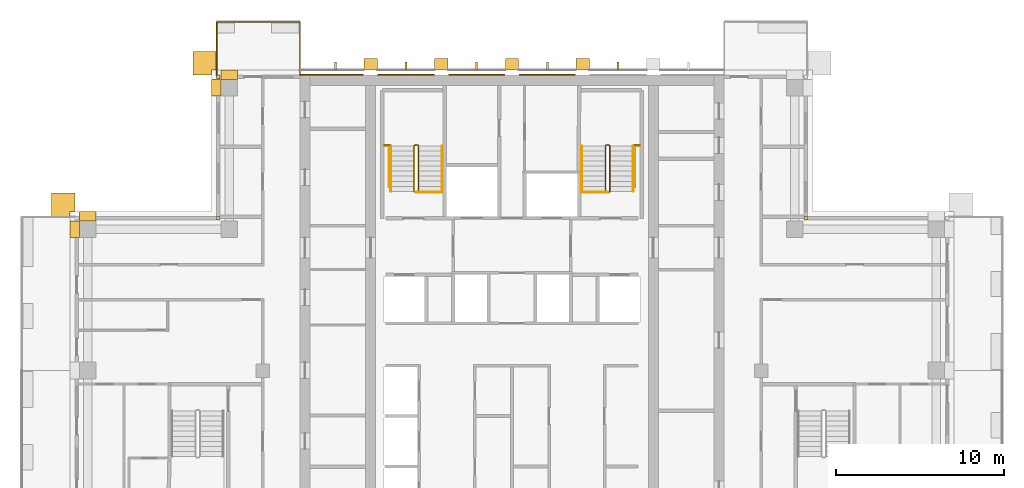
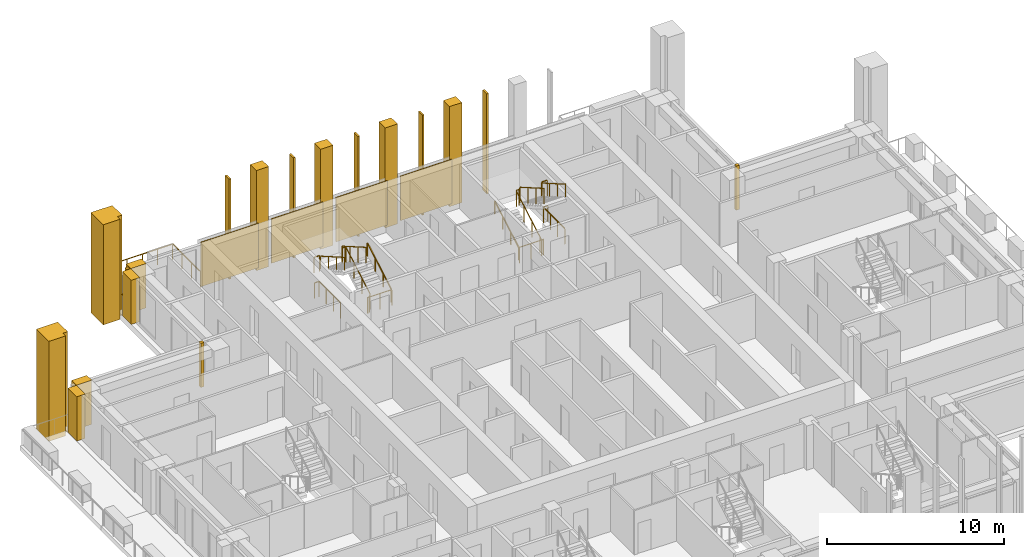
# One storey, part 16 of 17: 22 coverings, 13 railings.
"""IFC4 building model written with IfcOpenShell, lengths in metres."""

from ifc_helpers import new_model, si_unit, direction, frame, origin, origin_2d, place, context, subcontext, project, spatial, polyline, rectangle, outline, extrude, material, layer, layer_set, type_object, element, save


model = new_model("IFC4")

# Units and contexts
model_context = context("Model", 3, precision=1e-05, world=origin(), true_north=direction((0.0, 1.0)))
body_context = subcontext(model_context, "Body", "Model", "MODEL_VIEW")
ifc_project = project(units=[si_unit("LENGTHUNIT", "METRE"), si_unit("AREAUNIT", "SQUARE_METRE"), si_unit("VOLUMEUNIT", "CUBIC_METRE"), si_unit("PLANEANGLEUNIT", "RADIAN"), si_unit("MASSUNIT", "GRAM", prefix="KILO")], contexts=[model_context])

# Site, building, storey
site_placement = place(None, origin())
site = spatial("IfcSite", under=ifc_project, at=site_placement, CompositionType="ELEMENT")
building_placement = place(site_placement, origin())
building = spatial("IfcBuilding", under=site, at=building_placement, Name="Vermilion Ogive Tower", CompositionType="ELEMENT")
storey_placement = place(building_placement, frame((0.0, 0.0, 192.800048828125)))
storey = spatial("IfcBuildingStorey", under=building, at=storey_placement, Name="L50", CompositionType="ELEMENT", Elevation=192.800048828125)

# Railing
ifc_material_1 = material(Name="Stainless steel and glass", Category="steel")
railing_type_1 = type_object("IfcRailingType", Name="Balcony guard", PredefinedType="GUARDRAIL", material=ifc_material_1)
railing_1_placement = place(storey_placement, frame((-12.60009765625, 21.75, -0.0400390625)))
element("IfcRailing", 1, at=railing_1_placement, inside=storey, type_object=railing_type_1, Name="Guard N201", PredefinedType="GUARDRAIL", context=body_context, shape_type="SweptSolid", body=[
    extrude(rectangle(XDim=0.048095703125, YDim=0.048095703125, at=origin_2d()), frame((0.0, 0.0, 1.076171875), z_axis=(0.0, 1.0, 0.0), x_axis=(-1.0, 0.0, 0.0)), (0.0, 0.0, 1.0), 3.159912109375),
    extrude(rectangle(XDim=0.048095703125, YDim=0.048095703125, at=origin_2d()), frame((0.0, 3.159912109375, 1.076171875), z_axis=(-1.0, 0.0, 0.0), x_axis=(0.0, -1.0, 0.0)), (0.0, 0.0, 1.0), 4.949951171875),
    extrude(rectangle(XDim=0.048095703125, YDim=0.048095703125, at=origin_2d()), frame((-4.949951171875, 3.159912109375, 1.076171875), z_axis=(0.0, -1.0, 0.0), x_axis=(1.0, 0.0, 0.0)), (0.0, 0.0, 1.0), 3.159912109375),
    extrude(rectangle(XDim=0.0419921875, YDim=0.0419921875, at=origin_2d()), origin(), (0.0, 0.0, 1.0), 1.052001953125),
    extrude(rectangle(XDim=0.0419921875, YDim=0.0419921875, at=origin_2d()), frame((0.0, 1.05322265625, 0.0)), (0.0, 0.0, 1.0), 1.052001953125),
    extrude(rectangle(XDim=0.0419921875, YDim=0.0419921875, at=origin_2d()), frame((0.0, 2.106689453125, 0.0)), (0.0, 0.0, 1.0), 1.052001953125),
    extrude(rectangle(XDim=0.0419921875, YDim=0.0419921875, at=origin_2d()), frame((0.0, 3.159912109375, 0.0)), (0.0, 0.0, 1.0), 1.052001953125),
    extrude(rectangle(XDim=0.0419921875, YDim=0.0419921875, at=origin_2d()), frame((-0.989990234375, 3.159912109375, 0.0)), (0.0, 0.0, 1.0), 1.052001953125),
    extrude(rectangle(XDim=0.0419921875, YDim=0.0419921875, at=origin_2d()), frame((-1.97998046875, 3.159912109375, 0.0)), (0.0, 0.0, 1.0), 1.052001953125),
    extrude(rectangle(XDim=0.0419921875, YDim=0.0419921875, at=origin_2d()), frame((-2.969970703125, 3.159912109375, 0.0)), (0.0, 0.0, 1.0), 1.052001953125),
    extrude(rectangle(XDim=0.0419921875, YDim=0.0419921875, at=origin_2d()), frame((-3.9599609375, 3.159912109375, 0.0)), (0.0, 0.0, 1.0), 1.052001953125),
    extrude(rectangle(XDim=0.0419921875, YDim=0.0419921875, at=origin_2d()), frame((-4.949951171875, 3.159912109375, 0.0)), (0.0, 0.0, 1.0), 1.052001953125),
    extrude(rectangle(XDim=0.0419921875, YDim=0.0419921875, at=origin_2d()), frame((-4.949951171875, 2.106689453125, 0.0)), (0.0, 0.0, 1.0), 1.052001953125),
    extrude(rectangle(XDim=0.0419921875, YDim=0.0419921875, at=origin_2d()), frame((-4.949951171875, 1.05322265625, 0.0)), (0.0, 0.0, 1.0), 1.052001953125),
    extrude(rectangle(XDim=0.0419921875, YDim=0.0419921875, at=origin_2d()), frame((-4.949951171875, 0.0, 0.0)), (0.0, 0.0, 1.0), 1.052001953125),
])

# Coverings
ifc_material_2 = material(Name="Glazed ceramic screen")
ifc_layer = layer(ifc_material_2, 0.14990234375)
ifc_layer_set = layer_set([ifc_layer], Name="Ceramic solar screen fin")
covering_type_1 = type_object("IfcCoveringType", Name="Ceramic solar screen fin", PredefinedType="CLADDING", material=ifc_layer_set)
covering_1_placement = place(storey_placement, frame((0.0, 0.0, -0.400146484375)))
element("IfcCovering", 2, at=covering_1_placement, inside=storey, type_object=covering_type_1, Name="Solar screen blade N1", PredefinedType="CLADDING", context=body_context, shape_type="SweptSolid", body=[
    extrude(outline(polyline([(-10.56005859375, 22.08203125), (-10.43994140625, 22.08203125), (-10.43994140625, 22.531982421875), (-10.56005859375, 22.531982421875), (-10.56005859375, 22.08203125)])), origin(), (0.0, 0.0, 1.0), 6.900146484375),
])
covering_2_placement = place(storey_placement, frame((0.0, 0.0, -0.400146484375)))
element("IfcCovering", 3, at=covering_2_placement, inside=storey, type_object=covering_type_1, Name="Solar screen blade N2", PredefinedType="CLADDING", context=body_context, shape_type="SweptSolid", body=[
    extrude(outline(polyline([(-6.360107421875, 22.08203125), (-6.239990234375, 22.08203125), (-6.239990234375, 22.531982421875), (-6.360107421875, 22.531982421875), (-6.360107421875, 22.08203125)])), origin(), (0.0, 0.0, 1.0), 6.900146484375),
])
covering_3_placement = place(storey_placement, frame((0.0, 0.0, -0.400146484375)))
element("IfcCovering", 4, at=covering_3_placement, inside=storey, type_object=covering_type_1, Name="Solar screen blade N3", PredefinedType="CLADDING", context=body_context, shape_type="SweptSolid", body=[
    extrude(outline(polyline([(-2.159912109375, 22.08203125), (-2.0400390625, 22.08203125), (-2.0400390625, 22.531982421875), (-2.159912109375, 22.531982421875), (-2.159912109375, 22.08203125)])), origin(), (0.0, 0.0, 1.0), 6.900146484375),
])
covering_4_placement = place(storey_placement, frame((0.0, 0.0, -0.400146484375)))
element("IfcCovering", 5, at=covering_4_placement, inside=storey, type_object=covering_type_1, Name="Solar screen blade N4", PredefinedType="CLADDING", context=body_context, shape_type="SweptSolid", body=[
    extrude(outline(polyline([(2.0400390625, 22.08203125), (2.159912109375, 22.08203125), (2.159912109375, 22.531982421875), (2.0400390625, 22.531982421875), (2.0400390625, 22.08203125)])), origin(), (0.0, 0.0, 1.0), 6.900146484375),
])
covering_5_placement = place(storey_placement, frame((0.0, 0.0, -0.400146484375)))
element("IfcCovering", 6, at=covering_5_placement, inside=storey, type_object=covering_type_1, Name="Solar screen blade N5", PredefinedType="CLADDING", context=body_context, shape_type="SweptSolid", body=[
    extrude(outline(polyline([(6.239990234375, 22.08203125), (6.360107421875, 22.08203125), (6.360107421875, 22.531982421875), (6.239990234375, 22.531982421875), (6.239990234375, 22.08203125)])), origin(), (0.0, 0.0, 1.0), 6.900146484375),
])

# Railings
ifc_material_3 = material(Name="Steel S355 painted", Category="steel")
railing_type_2 = type_object("IfcRailingType", Name="Stair guard 1100", PredefinedType="GUARDRAIL", material=ifc_material_3)
railing_2_placement = place(storey_placement, frame((-5.75, 14.800048828125, 0.0)))
element("IfcRailing", 7, at=railing_2_placement, inside=storey, type_object=railing_type_2, Name="L50 ST1 stair guard 4", PredefinedType="GUARDRAIL", context=body_context, shape_type="SweptSolid", body=[
    extrude(rectangle(XDim=0.048095703125, YDim=0.048095703125, at=origin_2d()), frame((0.0, 0.0, 1.076171875), z_axis=(1.0, 0.0, 0.0), x_axis=(0.0, 1.0, 0.0)), (0.0, 0.0, 1.0), 0.14990234375),
    extrude(rectangle(XDim=0.048095703125, YDim=0.048095703125, at=origin_2d()), frame((0.14990234375, 0.0, 1.076171875), z_axis=(0.268603158521, 0.268603158521, 0.925043072762), x_axis=(-0.707106781187, 0.707106781187, 0.0)), (0.0, 0.0, 1.0), 0.186279296875),
    extrude(rectangle(XDim=0.048095703125, YDim=0.048095703125, at=origin_2d()), frame((0.199951171875, 0.050048828125, 1.24853515625), z_axis=(0.0, 0.866903762492, 0.498475542607), x_axis=(-1.0, 0.0, 0.0)), (0.0, 0.0, 1.0), 3.114501953125),
    extrude(rectangle(XDim=0.048095703125, YDim=0.048095703125, at=origin_2d()), frame((0.199951171875, 2.75, 2.80078125), z_axis=(-0.707106781187, 0.707106781187, 0.0), x_axis=(-0.707106781187, -0.707106781187, 0.0)), (0.0, 0.0, 1.0), 0.07080078125),
    extrude(rectangle(XDim=0.048095703125, YDim=0.048095703125, at=origin_2d()), frame((0.14990234375, 2.800048828125, 2.80078125), z_axis=(-1.0, 0.0, 0.0), x_axis=(0.0, -1.0, 0.0)), (0.0, 0.0, 1.0), 0.14990234375),
    extrude(rectangle(XDim=0.048095703125, YDim=0.048095703125, at=origin_2d()), frame((0.0, 2.800048828125, 2.80078125), z_axis=(-0.268277960024, -0.268277960024, 0.925231793839), x_axis=(0.707106781187, -0.707106781187, 0.0)), (0.0, 0.0, 1.0), 0.1865234375),
    extrude(rectangle(XDim=0.048095703125, YDim=0.048095703125, at=origin_2d()), frame((-0.050048828125, 2.75, 2.9736328125), z_axis=(0.0, -0.866903762492, 0.498475542607), x_axis=(1.0, 0.0, 0.0)), (0.0, 0.0, 1.0), 3.114501953125),
    extrude(rectangle(XDim=0.0419921875, YDim=0.0419921875, at=origin_2d()), origin(), (0.0, 0.0, 1.0), 1.052001953125),
    extrude(rectangle(XDim=0.0419921875, YDim=0.0419921875, at=origin_2d()), frame((0.14990234375, 0.0, 0.0)), (0.0, 0.0, 1.0), 1.052001953125),
    extrude(rectangle(XDim=0.0419921875, YDim=0.0419921875, at=origin_2d()), frame((0.199951171875, 0.050048828125, 0.17236328125)), (0.0, 0.0, 1.0), 1.052001953125),
    extrude(rectangle(XDim=0.0419921875, YDim=0.0419921875, at=origin_2d()), frame((0.199951171875, 0.949951171875, 0.68994140625)), (0.0, 0.0, 1.0), 1.052001953125),
    extrude(rectangle(XDim=0.0419921875, YDim=0.0419921875, at=origin_2d()), frame((0.199951171875, 1.85009765625, 1.207275390625)), (0.0, 0.0, 1.0), 1.052001953125),
    extrude(rectangle(XDim=0.0419921875, YDim=0.0419921875, at=origin_2d()), frame((0.199951171875, 2.75, 1.724853515625)), (0.0, 0.0, 1.0), 1.052001953125),
    extrude(rectangle(XDim=0.0419921875, YDim=0.0419921875, at=origin_2d()), frame((0.14990234375, 2.800048828125, 1.724853515625)), (0.0, 0.0, 1.0), 1.052001953125),
    extrude(rectangle(XDim=0.0419921875, YDim=0.0419921875, at=origin_2d()), frame((0.0, 2.800048828125, 1.724853515625)), (0.0, 0.0, 1.0), 1.052001953125),
    extrude(rectangle(XDim=0.0419921875, YDim=0.0419921875, at=origin_2d()), frame((-0.050048828125, 2.75, 1.8974609375)), (0.0, 0.0, 1.0), 1.052001953125),
    extrude(rectangle(XDim=0.0419921875, YDim=0.0419921875, at=origin_2d()), frame((-0.050048828125, 1.85009765625, 2.4150390625)), (0.0, 0.0, 1.0), 1.052001953125),
    extrude(rectangle(XDim=0.0419921875, YDim=0.0419921875, at=origin_2d()), frame((-0.050048828125, 0.949951171875, 2.932373046875)), (0.0, 0.0, 1.0), 1.052001953125),
    extrude(rectangle(XDim=0.0419921875, YDim=0.0419921875, at=origin_2d()), frame((-0.050048828125, 0.050048828125, 3.449951171875)), (0.0, 0.0, 1.0), 1.052001953125),
])
railing_3_placement = place(storey_placement, frame((5.75, 14.800048828125, 0.0)))
element("IfcRailing", 8, at=railing_3_placement, inside=storey, type_object=railing_type_2, Name="L50 ST2 stair guard 4", PredefinedType="GUARDRAIL", context=body_context, shape_type="SweptSolid", body=[
    extrude(rectangle(XDim=0.048095703125, YDim=0.048095703125, at=origin_2d()), frame((0.0, 0.0, 1.076171875), z_axis=(-1.0, 0.0, 0.0), x_axis=(0.0, -1.0, 0.0)), (0.0, 0.0, 1.0), 0.14990234375),
    extrude(rectangle(XDim=0.048095703125, YDim=0.048095703125, at=origin_2d()), frame((-0.14990234375, 0.0, 1.076171875), z_axis=(-0.268603158521, 0.268603158521, 0.925043072762), x_axis=(-0.707106781187, -0.707106781187, 0.0)), (0.0, 0.0, 1.0), 0.186279296875),
    extrude(rectangle(XDim=0.048095703125, YDim=0.048095703125, at=origin_2d()), frame((-0.199951171875, 0.050048828125, 1.24853515625), z_axis=(0.0, 0.866903762492, 0.498475542607), x_axis=(-1.0, 0.0, 0.0)), (0.0, 0.0, 1.0), 3.114501953125),
    extrude(rectangle(XDim=0.048095703125, YDim=0.048095703125, at=origin_2d()), frame((-0.199951171875, 2.75, 2.80078125), z_axis=(0.707106781187, 0.707106781187, 0.0), x_axis=(-0.707106781187, 0.707106781187, 0.0)), (0.0, 0.0, 1.0), 0.07080078125),
    extrude(rectangle(XDim=0.048095703125, YDim=0.048095703125, at=origin_2d()), frame((-0.14990234375, 2.800048828125, 2.80078125), z_axis=(1.0, 0.0, 0.0), x_axis=(0.0, 1.0, 0.0)), (0.0, 0.0, 1.0), 0.14990234375),
    extrude(rectangle(XDim=0.048095703125, YDim=0.048095703125, at=origin_2d()), frame((0.0, 2.800048828125, 2.80078125), z_axis=(0.268277960024, -0.268277960024, 0.925231793839), x_axis=(0.707106781187, 0.707106781187, 0.0)), (0.0, 0.0, 1.0), 0.1865234375),
    extrude(rectangle(XDim=0.048095703125, YDim=0.048095703125, at=origin_2d()), frame((0.050048828125, 2.75, 2.9736328125), z_axis=(0.0, -0.866903762492, 0.498475542607), x_axis=(1.0, 0.0, 0.0)), (0.0, 0.0, 1.0), 3.114501953125),
    extrude(rectangle(XDim=0.0419921875, YDim=0.0419921875, at=origin_2d()), origin(), (0.0, 0.0, 1.0), 1.052001953125),
    extrude(rectangle(XDim=0.0419921875, YDim=0.0419921875, at=origin_2d()), frame((-0.14990234375, 0.0, 0.0)), (0.0, 0.0, 1.0), 1.052001953125),
    extrude(rectangle(XDim=0.0419921875, YDim=0.0419921875, at=origin_2d()), frame((-0.199951171875, 0.050048828125, 0.17236328125)), (0.0, 0.0, 1.0), 1.052001953125),
    extrude(rectangle(XDim=0.0419921875, YDim=0.0419921875, at=origin_2d()), frame((-0.199951171875, 0.949951171875, 0.68994140625)), (0.0, 0.0, 1.0), 1.052001953125),
    extrude(rectangle(XDim=0.0419921875, YDim=0.0419921875, at=origin_2d()), frame((-0.199951171875, 1.85009765625, 1.207275390625)), (0.0, 0.0, 1.0), 1.052001953125),
    extrude(rectangle(XDim=0.0419921875, YDim=0.0419921875, at=origin_2d()), frame((-0.199951171875, 2.75, 1.724853515625)), (0.0, 0.0, 1.0), 1.052001953125),
    extrude(rectangle(XDim=0.0419921875, YDim=0.0419921875, at=origin_2d()), frame((-0.14990234375, 2.800048828125, 1.724853515625)), (0.0, 0.0, 1.0), 1.052001953125),
    extrude(rectangle(XDim=0.0419921875, YDim=0.0419921875, at=origin_2d()), frame((0.0, 2.800048828125, 1.724853515625)), (0.0, 0.0, 1.0), 1.052001953125),
    extrude(rectangle(XDim=0.0419921875, YDim=0.0419921875, at=origin_2d()), frame((0.050048828125, 2.75, 1.8974609375)), (0.0, 0.0, 1.0), 1.052001953125),
    extrude(rectangle(XDim=0.0419921875, YDim=0.0419921875, at=origin_2d()), frame((0.050048828125, 1.85009765625, 2.4150390625)), (0.0, 0.0, 1.0), 1.052001953125),
    extrude(rectangle(XDim=0.0419921875, YDim=0.0419921875, at=origin_2d()), frame((0.050048828125, 0.949951171875, 2.932373046875)), (0.0, 0.0, 1.0), 1.052001953125),
    extrude(rectangle(XDim=0.0419921875, YDim=0.0419921875, at=origin_2d()), frame((0.050048828125, 0.050048828125, 3.449951171875)), (0.0, 0.0, 1.0), 1.052001953125),
])
for number, where, name in (
    (9, (-7.60009765625, 17.60009765625, 1.724853515625), "L50 landing guard"),
    (10, (7.25, 17.60009765625, 1.724853515625), "L50 landing guard"),
):
    element("IfcRailing", number, at=place(storey_placement, frame(where)), inside=storey, type_object=railing_type_2, Name=name, PredefinedType="GUARDRAIL", context=body_context, shape_type="SweptSolid", body=[
        extrude(rectangle(XDim=0.048095703125, YDim=0.048095703125, at=origin_2d()), frame((0.0, 0.0, 1.076171875), z_axis=(1.0, 0.0, 0.0), x_axis=(0.0, 1.0, 0.0)), (0.0, 0.0, 1.0), 0.35009765625),
        extrude(rectangle(XDim=0.0419921875, YDim=0.0419921875, at=origin_2d()), origin(), (0.0, 0.0, 1.0), 1.052001953125),
        extrude(rectangle(XDim=0.0419921875, YDim=0.0419921875, at=origin_2d()), frame((0.35009765625, 0.0, 0.0)), (0.0, 0.0, 1.0), 1.052001953125),
    ])
railing_4_placement = place(storey_placement, frame((-4.159912109375, 14.7900390625, 0.0)))
element("IfcRailing", 11, at=railing_4_placement, inside=storey, type_object=railing_type_2, Name="L50 stair opening guard", PredefinedType="GUARDRAIL", context=body_context, shape_type="SweptSolid", body=[
    extrude(rectangle(XDim=0.048095703125, YDim=0.048095703125, at=origin_2d()), frame((0.0, 0.0, 1.076171875), z_axis=(-1.0, 0.0, 0.0), x_axis=(0.0, -1.0, 0.0)), (0.0, 0.0, 1.0), 1.5400390625),
    extrude(rectangle(XDim=0.0419921875, YDim=0.0419921875, at=origin_2d()), origin(), (0.0, 0.0, 1.0), 1.052001953125),
    extrude(rectangle(XDim=0.0419921875, YDim=0.0419921875, at=origin_2d()), frame((-0.77001953125, 0.0, 0.0)), (0.0, 0.0, 1.0), 1.052001953125),
    extrude(rectangle(XDim=0.0419921875, YDim=0.0419921875, at=origin_2d()), frame((-1.5400390625, 0.0, 0.0)), (0.0, 0.0, 1.0), 1.052001953125),
])
railing_5_placement = place(storey_placement, frame((-7.3095703125, 15.11865234375, 0.0)))
element("IfcRailing", 12, at=railing_5_placement, inside=storey, type_object=railing_type_2, Name="L50 stair opening guard", PredefinedType="GUARDRAIL", context=body_context, shape_type="SweptSolid", body=[
    extrude(rectangle(XDim=0.048095703125, YDim=0.048095703125, at=origin_2d()), frame((0.0, 0.0, 1.076171875), z_axis=(0.0, 1.0, 0.0), x_axis=(-1.0, 0.0, 0.0)), (0.0, 0.0, 1.0), 2.42431640625),
    extrude(rectangle(XDim=0.048095703125, YDim=0.048095703125, at=origin_2d()), frame((0.0, 2.42431640625, 1.076171875), z_axis=(-1.0, 0.0, 0.0), x_axis=(0.0, -1.0, 0.0)), (0.0, 0.0, 1.0), 0.2900390625),
    extrude(rectangle(XDim=0.0419921875, YDim=0.0419921875, at=origin_2d()), origin(), (0.0, 0.0, 1.0), 1.052001953125),
    extrude(rectangle(XDim=0.0419921875, YDim=0.0419921875, at=origin_2d()), frame((0.0, 0.80810546875, 0.0)), (0.0, 0.0, 1.0), 1.052001953125),
    extrude(rectangle(XDim=0.0419921875, YDim=0.0419921875, at=origin_2d()), frame((0.0, 1.6162109375, 0.0)), (0.0, 0.0, 1.0), 1.052001953125),
    extrude(rectangle(XDim=0.0419921875, YDim=0.0419921875, at=origin_2d()), frame((0.0, 2.42431640625, 0.0)), (0.0, 0.0, 1.0), 1.052001953125),
    extrude(rectangle(XDim=0.0419921875, YDim=0.0419921875, at=origin_2d()), frame((-0.2900390625, 2.42431640625, 0.0)), (0.0, 0.0, 1.0), 1.052001953125),
])
railing_6_placement = place(storey_placement, frame((7.599609375, 17.54296875, 0.0)))
element("IfcRailing", 13, at=railing_6_placement, inside=storey, type_object=railing_type_2, Name="L50 stair opening guard", PredefinedType="GUARDRAIL", context=body_context, shape_type="SweptSolid", body=[
    extrude(rectangle(XDim=0.048095703125, YDim=0.048095703125, at=origin_2d()), frame((0.0, 0.0, 1.076171875), z_axis=(-1.0, 0.0, 0.0), x_axis=(0.0, -1.0, 0.0)), (0.0, 0.0, 1.0), 0.2900390625),
    extrude(rectangle(XDim=0.048095703125, YDim=0.048095703125, at=origin_2d()), frame((-0.2900390625, 0.0, 1.076171875), z_axis=(0.0, -1.0, 0.0), x_axis=(1.0, 0.0, 0.0)), (0.0, 0.0, 1.0), 2.42431640625),
    extrude(rectangle(XDim=0.0419921875, YDim=0.0419921875, at=origin_2d()), origin(), (0.0, 0.0, 1.0), 1.052001953125),
    extrude(rectangle(XDim=0.0419921875, YDim=0.0419921875, at=origin_2d()), frame((-0.2900390625, 0.0, 0.0)), (0.0, 0.0, 1.0), 1.052001953125),
    extrude(rectangle(XDim=0.0419921875, YDim=0.0419921875, at=origin_2d()), frame((-0.2900390625, -0.80810546875, 0.0)), (0.0, 0.0, 1.0), 1.052001953125),
    extrude(rectangle(XDim=0.0419921875, YDim=0.0419921875, at=origin_2d()), frame((-0.2900390625, -1.6162109375, 0.0)), (0.0, 0.0, 1.0), 1.052001953125),
    extrude(rectangle(XDim=0.0419921875, YDim=0.0419921875, at=origin_2d()), frame((-0.2900390625, -2.42431640625, 0.0)), (0.0, 0.0, 1.0), 1.052001953125),
])
railing_7_placement = place(storey_placement, frame((5.699951171875, 14.7900390625, 0.0)))
element("IfcRailing", 14, at=railing_7_placement, inside=storey, type_object=railing_type_2, Name="L50 stair opening guard", PredefinedType="GUARDRAIL", context=body_context, shape_type="SweptSolid", body=[
    extrude(rectangle(XDim=0.048095703125, YDim=0.048095703125, at=origin_2d()), frame((0.0, 0.0, 1.076171875), z_axis=(-1.0, 0.0, 0.0), x_axis=(0.0, -1.0, 0.0)), (0.0, 0.0, 1.0), 1.5400390625),
    extrude(rectangle(XDim=0.0419921875, YDim=0.0419921875, at=origin_2d()), origin(), (0.0, 0.0, 1.0), 1.052001953125),
    extrude(rectangle(XDim=0.0419921875, YDim=0.0419921875, at=origin_2d()), frame((-0.77001953125, 0.0, 0.0)), (0.0, 0.0, 1.0), 1.052001953125),
    extrude(rectangle(XDim=0.0419921875, YDim=0.0419921875, at=origin_2d()), frame((-1.5400390625, 0.0, 0.0)), (0.0, 0.0, 1.0), 1.052001953125),
])
ifc_material_4 = material(Name="Stainless steel", Category="steel")
railing_type_3 = type_object("IfcRailingType", Name="Stair handrail 900", PredefinedType="HANDRAIL", material=ifc_material_4)
railing_8_placement = place(storey_placement, frame((-4.14990234375, 14.85009765625, 0.17236328125)))
element("IfcRailing", 15, at=railing_8_placement, inside=storey, type_object=railing_type_3, Name="L50 ST1 stair handrail 1", PredefinedType="HANDRAIL", context=body_context, shape_type="SweptSolid", body=[
    extrude(rectangle(XDim=0.048095703125, YDim=0.048095703125, at=origin_2d()), frame((0.0, 0.0, 0.8759765625), z_axis=(0.0, 0.866903762492, 0.498475542607), x_axis=(-1.0, 0.0, 0.0)), (0.0, 0.0, 1.0), 3.114501953125),
    extrude(rectangle(XDim=0.0419921875, YDim=0.0419921875, at=origin_2d()), origin(), (0.0, 0.0, 1.0), 0.851806640625),
    extrude(rectangle(XDim=0.0419921875, YDim=0.0419921875, at=origin_2d()), frame((0.0, 0.89990234375, 0.517578125)), (0.0, 0.0, 1.0), 0.851806640625),
    extrude(rectangle(XDim=0.0419921875, YDim=0.0419921875, at=origin_2d()), frame((0.0, 1.800048828125, 1.034912109375)), (0.0, 0.0, 1.0), 0.851806640625),
    extrude(rectangle(XDim=0.0419921875, YDim=0.0419921875, at=origin_2d()), frame((0.0, 2.699951171875, 1.552490234375)), (0.0, 0.0, 1.0), 0.851806640625),
])
railing_9_placement = place(storey_placement, frame((-7.199951171875, 17.550048828125, 1.8974609375)))
element("IfcRailing", 16, at=railing_9_placement, inside=storey, type_object=railing_type_3, Name="L50 ST1 stair handrail 2", PredefinedType="HANDRAIL", context=body_context, shape_type="SweptSolid", body=[
    extrude(rectangle(XDim=0.048095703125, YDim=0.048095703125, at=origin_2d()), frame((0.0, 0.0, 0.8759765625), z_axis=(0.0, -0.866903762492, 0.498475542607), x_axis=(1.0, 0.0, 0.0)), (0.0, 0.0, 1.0), 3.114501953125),
    extrude(rectangle(XDim=0.0419921875, YDim=0.0419921875, at=origin_2d()), origin(), (0.0, 0.0, 1.0), 0.851806640625),
    extrude(rectangle(XDim=0.0419921875, YDim=0.0419921875, at=origin_2d()), frame((0.0, -0.89990234375, 0.517578125)), (0.0, 0.0, 1.0), 0.851806640625),
    extrude(rectangle(XDim=0.0419921875, YDim=0.0419921875, at=origin_2d()), frame((0.0, -1.800048828125, 1.034912109375)), (0.0, 0.0, 1.0), 0.851806640625),
    extrude(rectangle(XDim=0.0419921875, YDim=0.0419921875, at=origin_2d()), frame((0.0, -2.699951171875, 1.552490234375)), (0.0, 0.0, 1.0), 0.851806640625),
])
railing_10_placement = place(storey_placement, frame((4.14990234375, 14.85009765625, 0.17236328125)))
element("IfcRailing", 17, at=railing_10_placement, inside=storey, type_object=railing_type_3, Name="L50 ST2 stair handrail 1", PredefinedType="HANDRAIL", context=body_context, shape_type="SweptSolid", body=[
    extrude(rectangle(XDim=0.048095703125, YDim=0.048095703125, at=origin_2d()), frame((0.0, 0.0, 0.8759765625), z_axis=(0.0, 0.866903762492, 0.498475542607), x_axis=(-1.0, 0.0, 0.0)), (0.0, 0.0, 1.0), 3.114501953125),
    extrude(rectangle(XDim=0.0419921875, YDim=0.0419921875, at=origin_2d()), origin(), (0.0, 0.0, 1.0), 0.851806640625),
    extrude(rectangle(XDim=0.0419921875, YDim=0.0419921875, at=origin_2d()), frame((0.0, 0.89990234375, 0.517578125)), (0.0, 0.0, 1.0), 0.851806640625),
    extrude(rectangle(XDim=0.0419921875, YDim=0.0419921875, at=origin_2d()), frame((0.0, 1.800048828125, 1.034912109375)), (0.0, 0.0, 1.0), 0.851806640625),
    extrude(rectangle(XDim=0.0419921875, YDim=0.0419921875, at=origin_2d()), frame((0.0, 2.699951171875, 1.552490234375)), (0.0, 0.0, 1.0), 0.851806640625),
])
railing_11_placement = place(storey_placement, frame((7.199951171875, 17.550048828125, 1.8974609375)))
element("IfcRailing", 18, at=railing_11_placement, inside=storey, type_object=railing_type_3, Name="L50 ST2 stair handrail 2", PredefinedType="HANDRAIL", context=body_context, shape_type="SweptSolid", body=[
    extrude(rectangle(XDim=0.048095703125, YDim=0.048095703125, at=origin_2d()), frame((0.0, 0.0, 0.8759765625), z_axis=(0.0, -0.866903762492, 0.498475542607), x_axis=(1.0, 0.0, 0.0)), (0.0, 0.0, 1.0), 3.114501953125),
    extrude(rectangle(XDim=0.0419921875, YDim=0.0419921875, at=origin_2d()), origin(), (0.0, 0.0, 1.0), 0.851806640625),
    extrude(rectangle(XDim=0.0419921875, YDim=0.0419921875, at=origin_2d()), frame((0.0, -0.89990234375, 0.517578125)), (0.0, 0.0, 1.0), 0.851806640625),
    extrude(rectangle(XDim=0.0419921875, YDim=0.0419921875, at=origin_2d()), frame((0.0, -1.800048828125, 1.034912109375)), (0.0, 0.0, 1.0), 0.851806640625),
    extrude(rectangle(XDim=0.0419921875, YDim=0.0419921875, at=origin_2d()), frame((0.0, -2.699951171875, 1.552490234375)), (0.0, 0.0, 1.0), 0.851806640625),
])

# Coverings
ifc_material_5 = material(Name="Stone cladding", Category="masonry")
covering_type_2 = type_object("IfcCoveringType", Name="Stone buttress pier", PredefinedType="CLADDING", material=ifc_material_5)
covering_6_placement = place(storey_placement, frame((0.0, 0.0, -0.400146484375)))
element("IfcCovering", 19, at=covering_6_placement, inside=storey, type_object=covering_type_2, Name="Stone buttress pier N1", PredefinedType="CLADDING", context=body_context, shape_type="SweptSolid", body=[
    extrude(outline(polyline([(-8.0, 22.75), (-8.0, 22.050048828125), (-8.800048828125, 22.050048828125), (-8.800048828125, 22.75), (-8.0, 22.75)])), origin(), (0.0, 0.0, 1.0), 6.900146484375),
])
covering_7_placement = place(storey_placement, frame((0.0, 0.0, -0.400146484375)))
element("IfcCovering", 20, at=covering_7_placement, inside=storey, type_object=covering_type_2, Name="Stone buttress pier N2", PredefinedType="CLADDING", context=body_context, shape_type="SweptSolid", body=[
    extrude(outline(polyline([(-3.800048828125, 22.75), (-3.800048828125, 22.050048828125), (-4.60009765625, 22.050048828125), (-4.60009765625, 22.75), (-3.800048828125, 22.75)])), origin(), (0.0, 0.0, 1.0), 6.900146484375),
])
covering_8_placement = place(storey_placement, frame((0.0, 0.0, -0.400146484375)))
element("IfcCovering", 21, at=covering_8_placement, inside=storey, type_object=covering_type_2, Name="Stone buttress pier N3", PredefinedType="CLADDING", context=body_context, shape_type="SweptSolid", body=[
    extrude(outline(polyline([(0.39990234375, 22.75), (0.39990234375, 22.050048828125), (-0.39990234375, 22.050048828125), (-0.39990234375, 22.75), (0.39990234375, 22.75)])), origin(), (0.0, 0.0, 1.0), 6.900146484375),
])
covering_9_placement = place(storey_placement, frame((0.0, 0.0, -0.400146484375)))
element("IfcCovering", 22, at=covering_9_placement, inside=storey, type_object=covering_type_2, Name="Stone buttress pier N4", PredefinedType="CLADDING", context=body_context, shape_type="SweptSolid", body=[
    extrude(outline(polyline([(4.60009765625, 22.75), (4.60009765625, 22.050048828125), (3.800048828125, 22.050048828125), (3.800048828125, 22.75), (4.60009765625, 22.75)])), origin(), (0.0, 0.0, 1.0), 6.900146484375),
])
ifc_material_6 = material(Name="Stone cladding", Category="masonry")
covering_type_3 = type_object("IfcCoveringType", Name="Stone cladding panel", PredefinedType="CLADDING", material=ifc_material_6)
covering_10_placement = place(storey_placement, origin())
element("IfcCovering", 23, at=covering_10_placement, inside=storey, type_object=covering_type_3, Name="Stone cladding panel N1", PredefinedType="CLADDING", context=body_context, shape_type="SweptSolid", body=[
    extrude(outline(polyline([(-12.590087890625, 21.75), (-8.830078125, 21.75), (-8.830078125, 21.81005859375), (-12.590087890625, 21.81005859375), (-12.590087890625, 21.75)])), origin(), (0.0, 0.0, 1.0), 3.050048828125),
])
covering_11_placement = place(storey_placement, origin())
element("IfcCovering", 24, at=covering_11_placement, inside=storey, type_object=covering_type_3, Name="Stone cladding panel N2", PredefinedType="CLADDING", context=body_context, shape_type="SweptSolid", body=[
    extrude(outline(polyline([(-7.969970703125, 21.75), (-4.6298828125, 21.75), (-4.6298828125, 21.81005859375), (-7.969970703125, 21.81005859375), (-7.969970703125, 21.75)])), origin(), (0.0, 0.0, 1.0), 3.050048828125),
])
covering_12_placement = place(storey_placement, origin())
element("IfcCovering", 25, at=covering_12_placement, inside=storey, type_object=covering_type_3, Name="Stone cladding panel N3", PredefinedType="CLADDING", context=body_context, shape_type="SweptSolid", body=[
    extrude(outline(polyline([(-3.77001953125, 21.75), (-0.429931640625, 21.75), (-0.429931640625, 21.81005859375), (-3.77001953125, 21.81005859375), (-3.77001953125, 21.75)])), origin(), (0.0, 0.0, 1.0), 3.050048828125),
])
covering_13_placement = place(storey_placement, origin())
element("IfcCovering", 26, at=covering_13_placement, inside=storey, type_object=covering_type_3, Name="Stone cladding panel N4", PredefinedType="CLADDING", context=body_context, shape_type="SweptSolid", body=[
    extrude(outline(polyline([(0.429931640625, 21.75), (3.77001953125, 21.75), (3.77001953125, 21.81005859375), (0.429931640625, 21.81005859375), (0.429931640625, 21.75)])), origin(), (0.0, 0.0, 1.0), 3.050048828125),
])
ifc_material_7 = material(Name="Stone cladding", Category="masonry")
covering_type_4 = type_object("IfcCoveringType", Name="Stone corner buttress", PredefinedType="CLADDING", material=ifc_material_7)
covering_14_placement = place(storey_placement, frame((0.0, 0.0, -0.400146484375)))
element("IfcCovering", 27, at=covering_14_placement, inside=storey, type_object=covering_type_4, Name="Stone corner buttress X51", PredefinedType="CLADDING", context=body_context, shape_type="SweptSolid", body=[
    extrude(outline(polyline([(-17.550048828125, 23.14990234375), (-17.550048828125, 22.050048828125), (-17.85009765625, 22.050048828125), (-17.85009765625, 21.75), (-18.949951171875, 21.75), (-18.949951171875, 23.14990234375), (-17.550048828125, 23.14990234375)])), origin(), (0.0, 0.0, 1.0), 6.900146484375),
])
covering_15_placement = place(storey_placement, frame((0.0, 0.0, -0.400146484375)))
element("IfcCovering", 28, at=covering_15_placement, inside=storey, type_object=covering_type_4, Name="Stone corner buttress W1", PredefinedType="CLADDING", context=body_context, shape_type="SweptSolid", body=[
    extrude(outline(polyline([(-26.25, 13.64990234375), (-26.25, 13.35009765625), (-27.35009765625, 13.35009765625), (-27.35009765625, 14.75), (-25.949951171875, 14.75), (-25.949951171875, 13.64990234375), (-26.25, 13.64990234375)])), origin(), (0.0, 0.0, 1.0), 6.900146484375),
])
ifc_material_8 = material(Name="Stone cladding", Category="masonry")
covering_type_5 = type_object("IfcCoveringType", Name="Stone pier", PredefinedType="CLADDING", material=ifc_material_8)
covering_16_placement = place(storey_placement, origin())
element("IfcCovering", 29, at=covering_16_placement, inside=storey, type_object=covering_type_5, Name="Stone corner pier X3E1", PredefinedType="CLADDING", context=body_context, shape_type="SweptSolid", body=[
    extrude(outline(polyline([(17.35009765625, 13.14990234375), (17.35009765625, 13.35009765625), (17.550048828125, 13.35009765625), (17.550048828125, 13.14990234375), (17.35009765625, 13.14990234375)])), origin(), (0.0, 0.0, 1.0), 3.050048828125),
])
covering_17_placement = place(storey_placement, origin())
element("IfcCovering", 30, at=covering_17_placement, inside=storey, type_object=covering_type_5, Name="Stone corner pier N2E1", PredefinedType="CLADDING", context=body_context, shape_type="SweptSolid", body=[
    extrude(outline(polyline([(-17.35009765625, 21.550048828125), (-17.550048828125, 21.550048828125), (-17.550048828125, 21.75), (-17.35009765625, 21.75), (-17.35009765625, 21.550048828125)])), origin(), (0.0, 0.0, 1.0), 3.050048828125),
])
covering_18_placement = place(storey_placement, origin())
element("IfcCovering", 31, at=covering_18_placement, inside=storey, type_object=covering_type_5, Name="Stone corner pier X5E1", PredefinedType="CLADDING", context=body_context, shape_type="SweptSolid", body=[
    extrude(outline(polyline([(-17.35009765625, 13.14990234375), (-17.550048828125, 13.14990234375), (-17.550048828125, 13.35009765625), (-17.35009765625, 13.35009765625), (-17.35009765625, 13.14990234375)])), origin(), (0.0, 0.0, 1.0), 3.050048828125),
])
covering_19_placement = place(storey_placement, origin())
element("IfcCovering", 32, at=covering_19_placement, inside=storey, type_object=covering_type_5, Name="Stone pier P-0168+210N2", PredefinedType="CLADDING", context=body_context, shape_type="SweptSolid", body=[
    extrude(outline(polyline([(-17.300048828125, 21.5), (-17.300048828125, 22.050048828125), (-16.300048828125, 22.050048828125), (-16.300048828125, 21.5), (-17.300048828125, 21.5), (-17.300048828125, 21.5)])), origin(), (0.0, 0.0, 1.0), 3.050048828125),
])
covering_20_placement = place(storey_placement, origin())
element("IfcCovering", 33, at=covering_20_placement, inside=storey, type_object=covering_type_5, Name="Stone pier P-0168+210X5", PredefinedType="CLADDING", context=body_context, shape_type="SweptSolid", body=[
    extrude(outline(polyline([(-17.85009765625, 21.5), (-17.300048828125, 21.5), (-17.300048828125, 21.5), (-17.300048828125, 20.5), (-17.85009765625, 20.5), (-17.85009765625, 21.5)])), origin(), (0.0, 0.0, 1.0), 3.050048828125),
])
covering_21_placement = place(storey_placement, origin())
element("IfcCovering", 34, at=covering_21_placement, inside=storey, type_object=covering_type_5, Name="Stone pier P-0252+126X6", PredefinedType="CLADDING", context=body_context, shape_type="SweptSolid", body=[
    extrude(outline(polyline([(-25.699951171875, 13.10009765625), (-25.699951171875, 13.64990234375), (-24.699951171875, 13.64990234375), (-24.699951171875, 13.10009765625), (-24.699951171875, 13.10009765625), (-25.699951171875, 13.10009765625)])), origin(), (0.0, 0.0, 1.0), 3.050048828125),
])
covering_22_placement = place(storey_placement, origin())
element("IfcCovering", 35, at=covering_22_placement, inside=storey, type_object=covering_type_5, Name="Stone pier P-0252+126W", PredefinedType="CLADDING", context=body_context, shape_type="SweptSolid", body=[
    extrude(outline(polyline([(-26.25, 13.10009765625), (-25.699951171875, 13.10009765625), (-25.699951171875, 12.10009765625), (-26.25, 12.10009765625), (-26.25, 13.10009765625)])), origin(), (0.0, 0.0, 1.0), 3.050048828125),
])

save(model, "model.ifc")
